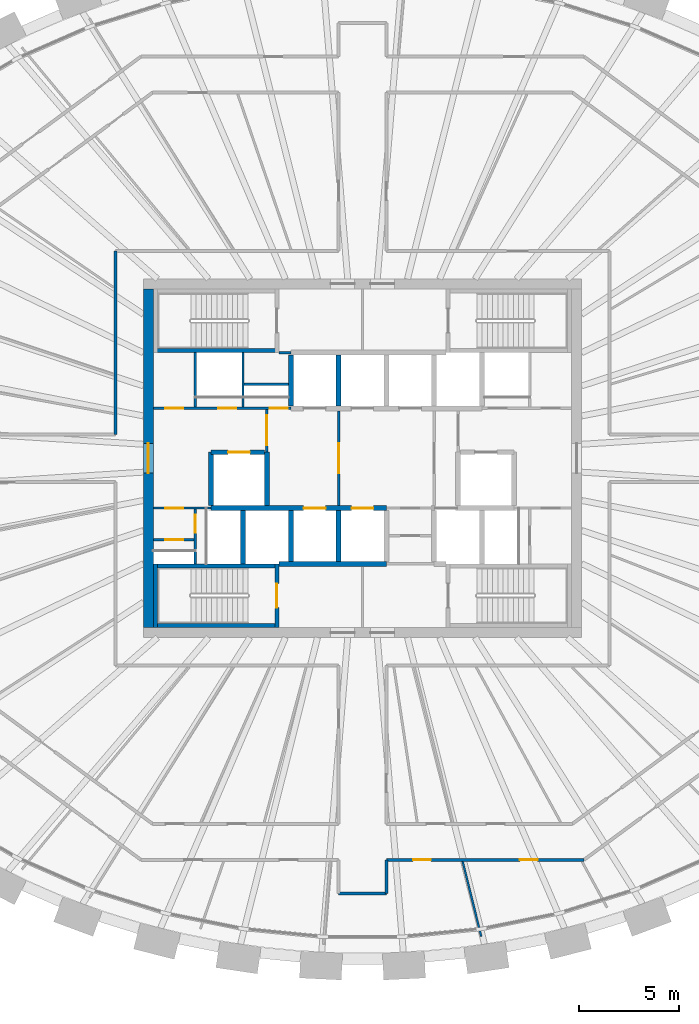
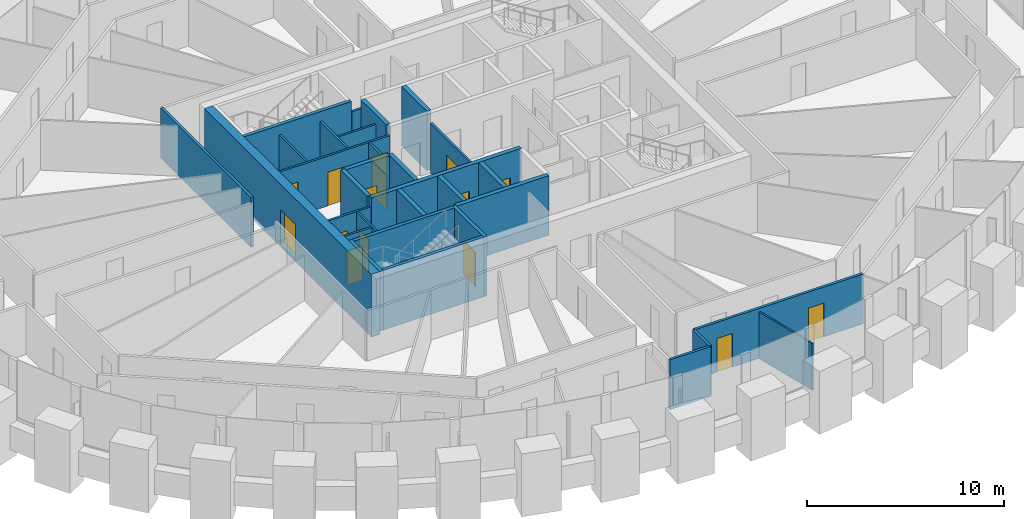
# One storey, part 7 of 12: 31 walls, 15 doors, 15 openings.
"""IFC4 building model written with IfcOpenShell, lengths in metres."""

from ifc_helpers import new_model, si_unit, direction, frame, frame_2d, origin, place, context, subcontext, project, spatial, rectangle, extrude, source, transform, mapped, material, layer, layer_set, type_object, element, fill, save


model = new_model("IFC4")

# Units and contexts
model_context = context("Model", 3, precision=1e-05, world=origin(), true_north=direction((0.0, 1.0)))
body_context = subcontext(model_context, "Body", "Model", "MODEL_VIEW")
ifc_project = project(units=[si_unit("LENGTHUNIT", "METRE"), si_unit("AREAUNIT", "SQUARE_METRE"), si_unit("VOLUMEUNIT", "CUBIC_METRE"), si_unit("PLANEANGLEUNIT", "RADIAN"), si_unit("MASSUNIT", "GRAM", prefix="KILO")], contexts=[model_context])

# Site, building, storey
site_placement = place(None, origin())
site = spatial("IfcSite", under=ifc_project, at=site_placement, CompositionType="ELEMENT")
building_placement = place(site_placement, origin())
building = spatial("IfcBuilding", under=site, at=building_placement, Name="Embergate Tower", CompositionType="ELEMENT")
storey_placement = place(building_placement, frame((0.0, 0.0, 265.60009765625)))
storey = spatial("IfcBuildingStorey", under=building, at=storey_placement, Name="L61", CompositionType="ELEMENT", Elevation=265.60009765625)

# Wall, opening, door
ifc_material_1 = material(Name="Concrete C50", Category="concrete")
ifc_layer_1 = layer(ifc_material_1, 0.5)
ifc_layer_set_1 = layer_set([ifc_layer_1], Name="Concrete C50")
wall_type_1 = type_object("IfcWallType", Name="Core outer wall C50 500", PredefinedType="SHEAR", material=ifc_layer_set_1)
shared_shape_1 = source(origin(), body_context, "Body", "SweptSolid", [
    extrude(rectangle(XDim=17.0, YDim=0.5, at=frame_2d((8.5, 0.0))), origin(), (0.0, 0.0, 1.0), 3.900146484375),
])
wall_1_placement = place(storey_placement, frame((-10.75, -8.5, -0.2001953125), z_axis=(0.0, 0.0, 1.0), x_axis=(0.0, 1.0, 0.0)))
wall_1 = element("IfcWall", 1, at=wall_1_placement, inside=storey, type_object=wall_type_1, Name="CW-L61-W", PredefinedType="SHEAR", context=body_context, shape_type="MappedRepresentation", body=[
    mapped(shared_shape_1, transform((0.0, 0.0, 0.0))),
])
shared_shape_2 = source(origin(), body_context, "Body", "SweptSolid", [
    extrude(rectangle(XDim=1.5, YDim=2.10009765625, at=frame_2d((0.75, 1.050048828125))), frame((0.0, 0.260009765625, 0.0), z_axis=(0.0, -1.0, 0.0), x_axis=(1.0, 0.0, 0.0)), (0.0, 0.0, 1.0), 0.52001953125),
])
opening_1_placement = place(wall_1_placement, frame((7.75, 0.0, 0.199951171875)))
opening_1 = element("IfcOpeningElement", 2, at=opening_1_placement, cuts=wall_1, Name="Opening IF-3", PredefinedType="OPENING", context=body_context, shape_type="MappedRepresentation", body=[
    mapped(shared_shape_2, transform((0.0, 0.0, 0.0))),
])
ifc_material_2 = material(Name="Lobby fire door pair 1500")
door_type_1 = type_object("IfcDoorType", Name="Lobby fire door pair 1500", OperationType="DOUBLE_DOOR_SINGLE_SWING", PredefinedType="DOOR", material=ifc_material_2)
shared_shape_3 = source(origin(), body_context, "Body", "SweptSolid", [
    extrude(rectangle(XDim=1.5, YDim=2.10009765625, at=frame_2d((0.75, 1.050048828125))), frame((0.0, 0.02490234375, 0.0), z_axis=(0.0, -1.0, 0.0), x_axis=(1.0, 0.0, 0.0)), (0.0, 0.0, 1.0), 0.050048828125),
])
door_1_placement = place(opening_1_placement, origin())
door_1 = element("IfcDoor", 3, at=door_1_placement, inside=storey, type_object=door_type_1, Name="IF-3 door", OperationType="DOUBLE_DOOR_SINGLE_SWING", OverallHeight=2.10009765625, OverallWidth=1.5, PredefinedType="DOOR", context=body_context, shape_type="MappedRepresentation", body=[
    mapped(shared_shape_3, transform((0.0, 0.0, 0.0))),
])
fill(opening_1, door_1)

# Walls
ifc_layer_2 = layer(ifc_material_1, 0.25)
ifc_layer_set_2 = layer_set([ifc_layer_2], Name="Concrete C50")
wall_type_2 = type_object("IfcWallType", Name="Hoistway wall reinforced concrete 250", PredefinedType="SHEAR", material=ifc_layer_set_2)
shared_shape_4 = source(origin(), body_context, "Body", "SweptSolid", [
    extrude(rectangle(XDim=2.675048828125, YDim=0.25, at=frame_2d((1.33740234375, 0.0))), origin(), (0.0, 0.0, 1.0), 3.699951171875),
])
for number, where, z_axis, x_axis, name in (
    (4, (-6.0, -5.300048828125, 0.0), (0.0, 0.0, 1.0), (0.0, 1.0, 0.0), "HW-1 wall"),
    (5, (-4.800048828125, 0.300048828125, 0.0), (0.0, 0.0, 1.0), (0.0, -1.0, 0.0), "HW-1 wall"),
):
    element("IfcWall", number, at=place(storey_placement, frame(where, z_axis=z_axis, x_axis=x_axis)), inside=storey, type_object=wall_type_2, Name=name, PredefinedType="SHEAR", context=body_context, shape_type="MappedRepresentation", body=[
        mapped(shared_shape_4, transform((0.0, 0.0, 0.0))),
    ])

# Wall, opening, door
wall_2_placement = place(storey_placement, frame((-4.925048828125, 0.300048828125, 0.0), z_axis=(0.0, 0.0, 1.0), x_axis=(-1.0, 0.0, 0.0)))
wall_2 = element("IfcWall", 6, at=wall_2_placement, inside=storey, type_object=wall_type_2, Name="HW-1 wall", PredefinedType="SHEAR", context=body_context, shape_type="MappedRepresentation", body=[
    mapped(shared_shape_4, transform((0.0, 0.0, 0.0))),
])
shared_shape_5 = source(origin(), body_context, "Body", "SweptSolid", [
    extrude(rectangle(XDim=1.10009765625, YDim=2.10009765625, at=frame_2d((0.550048828125, 1.050048828125))), frame((0.0, 0.135009765625, 0.0), z_axis=(0.0, -1.0, 0.0), x_axis=(1.0, 0.0, 0.0)), (0.0, 0.0, 1.0), 0.27001953125),
])
opening_2_placement = place(wall_2_placement, frame((0.72509765625, 0.0, 0.0)))
opening_2 = element("IfcOpeningElement", 7, at=opening_2_placement, cuts=wall_2, Name="Opening LD", PredefinedType="OPENING", context=body_context, shape_type="MappedRepresentation", body=[
    mapped(shared_shape_5, transform((0.0, 0.0, 0.0))),
])
ifc_material_3 = material(Name="Landing door sliding 1100")
door_type_2 = type_object("IfcDoorType", Name="Landing door sliding 1100", OperationType="SLIDING_TO_LEFT", PredefinedType="DOOR", material=ifc_material_3)
shared_shape_6 = source(origin(), body_context, "Body", "SweptSolid", [
    extrude(rectangle(XDim=1.10009765625, YDim=2.10009765625, at=frame_2d((0.550048828125, 1.050048828125))), frame((0.0, 0.02490234375, 0.0), z_axis=(0.0, -1.0, 0.0), x_axis=(1.0, 0.0, 0.0)), (0.0, 0.0, 1.0), 0.050048828125),
])
door_2_placement = place(opening_2_placement, origin())
door_2 = element("IfcDoor", 8, at=door_2_placement, inside=storey, type_object=door_type_2, Name="LD door", OperationType="SLIDING_TO_RIGHT", OverallHeight=2.10009765625, OverallWidth=1.10009765625, PredefinedType="DOOR", context=body_context, shape_type="MappedRepresentation", body=[
    mapped(shared_shape_6, transform((0.0, 0.0, 0.0))),
])
fill(opening_2, door_2)

# Walls
wall_3_placement = place(storey_placement, frame((-7.60009765625, 0.300048828125, 0.0), z_axis=(0.0, 0.0, 1.0), x_axis=(0.0, -1.0, 0.0)))
element("IfcWall", 9, at=wall_3_placement, inside=storey, type_object=wall_type_2, Name="HW-1 wall", PredefinedType="SHEAR", context=body_context, shape_type="MappedRepresentation", body=[
    mapped(shared_shape_4, transform((0.0, 0.0, 0.0))),
])
ifc_layer_3 = layer(ifc_material_1, 0.199951171875)
ifc_layer_set_3 = layer_set([ifc_layer_3], Name="Concrete C50")
wall_type_3 = type_object("IfcWallType", Name="Stair enclosure wall reinforced concrete 250", PredefinedType="SHEAR", material=ifc_layer_set_3)
shared_shape_7 = source(origin(), body_context, "Body", "SweptSolid", [
    extrude(rectangle(XDim=6.300048828125, YDim=0.199951171875, at=frame_2d((3.14990234375, 0.0))), origin(), (0.0, 0.0, 1.0), 3.699951171875),
])
wall_4_placement = place(storey_placement, frame((-10.5, -5.39990234375, 0.0), z_axis=(0.0, 0.0, 1.0), x_axis=(1.0, 0.0, 0.0)))
element("IfcWall", 10, at=wall_4_placement, inside=storey, type_object=wall_type_3, Name="SE-1 wall", PredefinedType="SHEAR", context=body_context, shape_type="MappedRepresentation", body=[
    mapped(shared_shape_7, transform((0.0, 0.0, 0.0))),
])
shared_shape_8 = source(origin(), body_context, "Body", "SweptSolid", [
    extrude(rectangle(XDim=2.550048828125, YDim=0.25, at=frame_2d((1.27490234375, 0.0))), origin(), (0.0, 0.0, 1.0), 3.699951171875),
])
for number, where, z_axis, x_axis, name in (
    (11, (-1.199951171875, 2.625, 0.0), (0.0, 0.0, 1.0), (0.0, 1.0, 0.0), "HW-1 wall"),
    (12, (-3.60009765625, -5.175048828125, 0.0), (0.0, 0.0, 1.0), (0.0, 1.0, 0.0), "HW-1 wall"),
    (13, (-1.199951171875, -5.175048828125, 0.0), (0.0, 0.0, 1.0), (0.0, 1.0, 0.0), "HW-1 wall"),
):
    element("IfcWall", number, at=place(storey_placement, frame(where, z_axis=z_axis, x_axis=x_axis)), inside=storey, type_object=wall_type_2, Name=name, PredefinedType="SHEAR", context=body_context, shape_type="MappedRepresentation", body=[
        mapped(shared_shape_8, transform((0.0, 0.0, 0.0))),
    ])

# Wall, opening, door
shared_shape_9 = source(origin(), body_context, "Body", "SweptSolid", [
    extrude(rectangle(XDim=3.199951171875, YDim=0.199951171875, at=frame_2d((1.60009765625, 0.0))), origin(), (0.0, 0.0, 1.0), 3.699951171875),
])
wall_5_placement = place(storey_placement, frame((-4.300048828125, -8.5, 0.0), z_axis=(0.0, 0.0, 1.0), x_axis=(0.0, 1.0, 0.0)))
wall_5 = element("IfcWall", 14, at=wall_5_placement, inside=storey, type_object=wall_type_3, Name="SE-1 wall", PredefinedType="SHEAR", context=body_context, shape_type="MappedRepresentation", body=[
    mapped(shared_shape_9, transform((0.0, 0.0, 0.0))),
])
shared_shape_10 = source(origin(), body_context, "Body", "SweptSolid", [
    extrude(rectangle(XDim=1.199951171875, YDim=2.10009765625, at=frame_2d((0.60009765625, 1.050048828125))), frame((0.0, 0.10986328125, 0.0), z_axis=(0.0, -1.0, 0.0), x_axis=(1.0, 0.0, 0.0)), (0.0, 0.0, 1.0), 0.219970703125),
])
opening_3_placement = place(wall_5_placement, frame((1.0, 0.0, 0.0)))
opening_3 = element("IfcOpeningElement", 15, at=opening_3_placement, cuts=wall_5, Name="Opening IF-2", PredefinedType="OPENING", context=body_context, shape_type="MappedRepresentation", body=[
    mapped(shared_shape_10, transform((0.0, 0.0, 0.0))),
])
ifc_material_4 = material(Name="Stair enclosure door 1200")
door_type_3 = type_object("IfcDoorType", Name="Stair enclosure door 1200", OperationType="SINGLE_SWING_LEFT", PredefinedType="DOOR", material=ifc_material_4)
shared_shape_11 = source(origin(), body_context, "Body", "SweptSolid", [
    extrude(rectangle(XDim=1.199951171875, YDim=2.10009765625, at=frame_2d((0.60009765625, 1.050048828125))), frame((0.0, 0.02490234375, 0.0), z_axis=(0.0, -1.0, 0.0), x_axis=(1.0, 0.0, 0.0)), (0.0, 0.0, 1.0), 0.050048828125),
])
door_3_placement = place(opening_3_placement, origin())
door_3 = element("IfcDoor", 16, at=door_3_placement, inside=storey, type_object=door_type_3, Name="IF-2 door", OperationType="SINGLE_SWING_RIGHT", OverallHeight=2.10009765625, OverallWidth=1.199951171875, PredefinedType="DOOR", context=body_context, shape_type="MappedRepresentation", body=[
    mapped(shared_shape_11, transform((0.0, 0.0, 0.0))),
])
fill(opening_3, door_3)

# Wall
ifc_material_5 = material(Name="Core partition blockwork 120")
ifc_layer_4 = layer(ifc_material_5, 0.1201171875)
ifc_layer_set_4 = layer_set([ifc_layer_4], Name="Core partition blockwork 120")
wall_type_4 = type_object("IfcWallType", Name="Core partition blockwork 120", PredefinedType="PARTITIONING", material=ifc_layer_set_4)
shared_shape_12 = source(origin(), body_context, "Body", "SweptSolid", [
    extrude(rectangle(XDim=2.739990234375, YDim=0.1201171875, at=frame_2d((1.3701171875, 0.0))), origin(), (0.0, 0.0, 1.0), 3.099853515625),
])
wall_6_placement = place(storey_placement, frame((-8.39990234375, 5.300048828125, 0.0), z_axis=(0.0, 0.0, 1.0), x_axis=(0.0, -1.0, 0.0)))
element("IfcWall", 17, at=wall_6_placement, inside=storey, type_object=wall_type_4, Name="IP-3 wall", PredefinedType="PARTITIONING", context=body_context, shape_type="MappedRepresentation", body=[
    mapped(shared_shape_12, transform((0.0, 0.0, 0.0))),
])

# Wall, opening, door
wall_7_placement = place(storey_placement, frame((-8.39990234375, -2.56005859375, 0.0), z_axis=(0.0, 0.0, 1.0), x_axis=(0.0, -1.0, 0.0)))
wall_7 = element("IfcWall", 18, at=wall_7_placement, inside=storey, type_object=wall_type_4, Name="IP-3 wall", PredefinedType="PARTITIONING", context=body_context, shape_type="MappedRepresentation", body=[
    mapped(shared_shape_12, transform((0.0, 0.0, 0.0))),
])
shared_shape_13 = source(origin(), body_context, "Body", "SweptSolid", [
    extrude(rectangle(XDim=0.89990234375, YDim=2.10009765625, at=frame_2d((0.449951171875, 1.050048828125))), frame((0.0, 0.070068359375, 0.0), z_axis=(0.0, -1.0, 0.0), x_axis=(1.0, 0.0, 0.0)), (0.0, 0.0, 1.0), 0.14013671875),
])
opening_4_placement = place(wall_7_placement, frame((0.2880859375, 0.0, 0.0)))
opening_4 = element("IfcOpeningElement", 19, at=opening_4_placement, cuts=wall_7, Name="Opening ID-1", PredefinedType="OPENING", context=body_context, shape_type="MappedRepresentation", body=[
    mapped(shared_shape_13, transform((0.0, 0.0, 0.0))),
])
ifc_material_6 = material(Name="Interior door 900")
door_type_4 = type_object("IfcDoorType", Name="Interior door 900", OperationType="SINGLE_SWING_LEFT", PredefinedType="DOOR", material=ifc_material_6)
shared_shape_14 = source(origin(), body_context, "Body", "SweptSolid", [
    extrude(rectangle(XDim=0.89990234375, YDim=2.10009765625, at=frame_2d((0.449951171875, 1.050048828125))), frame((0.0, 0.02490234375, 0.0), z_axis=(0.0, -1.0, 0.0), x_axis=(1.0, 0.0, 0.0)), (0.0, 0.0, 1.0), 0.050048828125),
])
door_4_placement = place(opening_4_placement, origin())
door_4 = element("IfcDoor", 20, at=door_4_placement, inside=storey, type_object=door_type_4, Name="ID-1 door", OperationType="SINGLE_SWING_LEFT", OverallHeight=2.10009765625, OverallWidth=0.89990234375, PredefinedType="DOOR", context=body_context, shape_type="MappedRepresentation", body=[
    mapped(shared_shape_14, transform((0.0, 0.0, 0.0))),
])
fill(opening_4, door_4)

shared_shape_15 = source(origin(), body_context, "Body", "SweptSolid", [
    extrude(rectangle(XDim=4.75, YDim=0.1201171875, at=frame_2d((2.375, 0.0))), origin(), (0.0, 0.0, 1.0), 3.099853515625),
])
wall_8_placement = place(storey_placement, frame((-1.199951171875, -2.375, 0.0), z_axis=(0.0, 0.0, 1.0), x_axis=(0.0, 1.0, 0.0)))
wall_8 = element("IfcWall", 21, at=wall_8_placement, inside=storey, type_object=wall_type_4, Name="IP-3 wall", PredefinedType="PARTITIONING", context=body_context, shape_type="MappedRepresentation", body=[
    mapped(shared_shape_15, transform((0.0, 0.0, 0.0))),
])
shared_shape_16 = source(origin(), body_context, "Body", "SweptSolid", [
    extrude(rectangle(XDim=1.5, YDim=2.10009765625, at=frame_2d((0.75, 1.050048828125))), frame((0.0, 0.070068359375, 0.0), z_axis=(0.0, -1.0, 0.0), x_axis=(1.0, 0.0, 0.0)), (0.0, 0.0, 1.0), 0.14013671875),
])
opening_5_placement = place(wall_8_placement, frame((1.625, 0.0, 0.0)))
opening_5 = element("IfcOpeningElement", 22, at=opening_5_placement, cuts=wall_8, Name="Opening IF-3", PredefinedType="OPENING", context=body_context, shape_type="MappedRepresentation", body=[
    mapped(shared_shape_16, transform((0.0, 0.0, 0.0))),
])
door_5_placement = place(opening_5_placement, origin())
door_5 = element("IfcDoor", 23, at=door_5_placement, inside=storey, type_object=door_type_1, Name="IF-3 door", OperationType="DOUBLE_DOOR_SINGLE_SWING", OverallHeight=2.10009765625, OverallWidth=1.5, PredefinedType="DOOR", context=body_context, shape_type="MappedRepresentation", body=[
    mapped(shared_shape_3, transform((0.0, 0.0, 0.0))),
])
fill(opening_5, door_5)

# Walls
ifc_material_7 = material(Name="Corridor wall dry-lined 150 wet")
ifc_layer_5 = layer(ifc_material_7, 0.14990234375)
ifc_layer_set_5 = layer_set([ifc_layer_5], Name="Corridor wall dry-lined 150 wet")
wall_type_5 = type_object("IfcWallType", Name="Corridor wall dry-lined 150 wet", PredefinedType="PLUMBINGWALL", material=ifc_layer_set_5)
shared_shape_17 = source(origin(), body_context, "Body", "SweptSolid", [
    extrude(rectangle(XDim=2.39990234375, YDim=0.14990234375, at=frame_2d((1.199951171875, 0.0))), origin(), (0.0, 0.0, 1.0), 3.099853515625),
])
wall_9_placement = place(storey_placement, frame((1.199951171875, -21.845947265625, 0.0), z_axis=(0.0, 0.0, 1.0), x_axis=(-1.0, 0.0, 0.0)))
element("IfcWall", 24, at=wall_9_placement, inside=storey, type_object=wall_type_5, Name="IP-2 wall", PredefinedType="PLUMBINGWALL", context=body_context, shape_type="MappedRepresentation", body=[
    mapped(shared_shape_17, transform((0.0, 0.0, 0.0))),
])
ifc_material_8 = material(Name="Corridor wall dry-lined 150")
ifc_layer_6 = layer(ifc_material_8, 0.14990234375)
ifc_layer_set_6 = layer_set([ifc_layer_6], Name="Corridor wall dry-lined 150")
wall_type_6 = type_object("IfcWallType", Name="Corridor wall dry-lined 150", PredefinedType="PARTITIONING", material=ifc_layer_set_6)
shared_shape_18 = source(origin(), body_context, "Body", "SweptSolid", [
    extrude(rectangle(XDim=9.199951171875, YDim=0.14990234375, at=frame_2d((4.60009765625, 0.0))), origin(), (0.0, 0.0, 1.0), 3.099853515625),
])
wall_10_placement = place(storey_placement, frame((-12.39990234375, 10.39990234375, 0.0), z_axis=(0.0, 0.0, 1.0), x_axis=(0.0, -1.0, 0.0)))
element("IfcWall", 25, at=wall_10_placement, inside=storey, type_object=wall_type_6, Name="IP-2 wall", PredefinedType="PARTITIONING", context=body_context, shape_type="MappedRepresentation", body=[
    mapped(shared_shape_18, transform((0.0, 0.0, 0.0))),
])
shared_shape_19 = source(origin(), body_context, "Body", "SweptSolid", [
    extrude(rectangle(XDim=2.738037109375, YDim=0.1201171875, at=frame_2d((1.369140625, 0.0))), origin(), (0.0, 0.0, 1.0), 3.099853515625),
])
wall_11_placement = place(storey_placement, frame((-6.0, 2.56005859375, 0.0), z_axis=(0.0, 0.0, 1.0), x_axis=(0.0, 1.0, 0.0)))
element("IfcWall", 26, at=wall_11_placement, inside=storey, type_object=wall_type_4, Name="IP-3 wall", PredefinedType="PARTITIONING", context=body_context, shape_type="MappedRepresentation", body=[
    mapped(shared_shape_19, transform((0.0, 0.0, 0.0))),
])

# Wall, openings, doors
shared_shape_20 = source(origin(), body_context, "Body", "SweptSolid", [
    extrude(rectangle(XDim=8.800048828125, YDim=0.25, at=frame_2d((4.39990234375, 0.0))), origin(), (0.0, 0.0, 1.0), 3.699951171875),
])
wall_12_placement = place(storey_placement, frame((1.199951171875, -2.5, 0.0), z_axis=(0.0, 0.0, 1.0), x_axis=(-1.0, 0.0, 0.0)))
wall_12 = element("IfcWall", 27, at=wall_12_placement, inside=storey, type_object=wall_type_2, Name="HW-1 wall", PredefinedType="SHEAR", context=body_context, shape_type="MappedRepresentation", body=[
    mapped(shared_shape_20, transform((0.0, 0.0, 0.0))),
])
opening_6_placement = place(wall_12_placement, frame((3.050048828125, 0.0, 0.0)))
opening_6 = element("IfcOpeningElement", 28, at=opening_6_placement, cuts=wall_12, Name="Opening LD", PredefinedType="OPENING", context=body_context, shape_type="MappedRepresentation", body=[
    mapped(shared_shape_5, transform((0.0, 0.0, 0.0))),
])
opening_7_placement = place(wall_12_placement, frame((0.64990234375, 0.0, 0.0)))
opening_7 = element("IfcOpeningElement", 29, at=opening_7_placement, cuts=wall_12, Name="Opening LD", PredefinedType="OPENING", context=body_context, shape_type="MappedRepresentation", body=[
    mapped(shared_shape_5, transform((0.0, 0.0, 0.0))),
])
door_6_placement = place(opening_6_placement, origin())
door_6 = element("IfcDoor", 30, at=door_6_placement, inside=storey, type_object=door_type_2, Name="LD door", OperationType="SLIDING_TO_LEFT", OverallHeight=2.10009765625, OverallWidth=1.10009765625, PredefinedType="DOOR", context=body_context, shape_type="MappedRepresentation", body=[
    mapped(shared_shape_6, transform((0.0, 0.0, 0.0))),
])
fill(opening_6, door_6)
door_7_placement = place(opening_7_placement, origin())
door_7 = element("IfcDoor", 31, at=door_7_placement, inside=storey, type_object=door_type_2, Name="LD door", OperationType="SLIDING_TO_LEFT", OverallHeight=2.10009765625, OverallWidth=1.10009765625, PredefinedType="DOOR", context=body_context, shape_type="MappedRepresentation", body=[
    mapped(shared_shape_6, transform((0.0, 0.0, 0.0))),
])
fill(opening_7, door_7)

# Wall, opening, door
shared_shape_21 = source(origin(), body_context, "Body", "SweptSolid", [
    extrude(rectangle(XDim=2.89990234375, YDim=0.1201171875, at=frame_2d((1.449951171875, 0.0))), origin(), (0.0, 0.0, 1.0), 3.099853515625),
])
wall_13_placement = place(storey_placement, frame((-7.60009765625, -2.5, 0.0), z_axis=(0.0, 0.0, 1.0), x_axis=(-1.0, 0.0, 0.0)))
wall_13 = element("IfcWall", 32, at=wall_13_placement, inside=storey, type_object=wall_type_4, Name="IP-3 wall", PredefinedType="PARTITIONING", context=body_context, shape_type="MappedRepresentation", body=[
    mapped(shared_shape_21, transform((0.0, 0.0, 0.0))),
])
opening_8_placement = place(wall_13_placement, frame((1.39990234375, 0.0, 0.0)))
opening_8 = element("IfcOpeningElement", 33, at=opening_8_placement, cuts=wall_13, Name="Opening ID-1", PredefinedType="OPENING", context=body_context, shape_type="MappedRepresentation", body=[
    mapped(shared_shape_13, transform((0.0, 0.0, 0.0))),
])
door_8_placement = place(opening_8_placement, origin())
door_8 = element("IfcDoor", 34, at=door_8_placement, inside=storey, type_object=door_type_4, Name="ID-1 door", OperationType="SINGLE_SWING_RIGHT", OverallHeight=2.10009765625, OverallWidth=0.89990234375, PredefinedType="DOOR", context=body_context, shape_type="MappedRepresentation", body=[
    mapped(shared_shape_14, transform((0.0, 0.0, 0.0))),
])
fill(opening_8, door_8)

# Wall
shared_shape_22 = source(origin(), body_context, "Body", "SweptSolid", [
    extrude(rectangle(XDim=5.39990234375, YDim=0.25, at=frame_2d((2.699951171875, 0.0))), origin(), (0.0, 0.0, 1.0), 3.699951171875),
])
wall_14_placement = place(storey_placement, frame((-4.199951171875, -5.300048828125, 0.0), z_axis=(0.0, 0.0, 1.0), x_axis=(1.0, 0.0, 0.0)))
element("IfcWall", 35, at=wall_14_placement, inside=storey, type_object=wall_type_2, Name="HW-1 wall", PredefinedType="SHEAR", context=body_context, shape_type="MappedRepresentation", body=[
    mapped(shared_shape_22, transform((0.0, 0.0, 0.0))),
])

# Wall, opening, door
shared_shape_23 = source(origin(), body_context, "Body", "SweptSolid", [
    extrude(rectangle(XDim=2.139892578125, YDim=0.1201171875, at=frame_2d((1.06982421875, 0.0))), origin(), (0.0, 0.0, 1.0), 3.099853515625),
])
wall_15_placement = place(storey_placement, frame((-4.800048828125, 2.43994140625, 0.0), z_axis=(0.0, 0.0, 1.0), x_axis=(0.0, -1.0, 0.0)))
wall_15 = element("IfcWall", 36, at=wall_15_placement, inside=storey, type_object=wall_type_4, Name="IP-3 wall", PredefinedType="PARTITIONING", context=body_context, shape_type="MappedRepresentation", body=[
    mapped(shared_shape_23, transform((0.0, 0.0, 0.0))),
])
opening_9_placement = place(wall_15_placement, frame((0.2900390625, 0.0, 0.0)))
opening_9 = element("IfcOpeningElement", 37, at=opening_9_placement, cuts=wall_15, Name="Opening IF-3", PredefinedType="OPENING", context=body_context, shape_type="MappedRepresentation", body=[
    mapped(shared_shape_16, transform((0.0, 0.0, 0.0))),
])
door_9_placement = place(opening_9_placement, origin())
door_9 = element("IfcDoor", 38, at=door_9_placement, inside=storey, type_object=door_type_1, Name="IF-3 door", OperationType="DOUBLE_DOOR_SINGLE_SWING", OverallHeight=2.10009765625, OverallWidth=1.5, PredefinedType="DOOR", context=body_context, shape_type="MappedRepresentation", body=[
    mapped(shared_shape_3, transform((0.0, 0.0, 0.0))),
])
fill(opening_9, door_9)

# Walls
shared_shape_24 = source(origin(), body_context, "Body", "SweptSolid", [
    extrude(rectangle(XDim=6.298095703125, YDim=0.199951171875, at=frame_2d((3.14892578125, 0.0))), origin(), (0.0, 0.0, 1.0), 3.699951171875),
])
for number, where, z_axis, x_axis, name in (
    (39, (-4.201904296875, 5.39990234375, 0.0), (0.0, 0.0, 1.0), (-1.0, 0.0, 0.0), "SE-1 wall"),
    (40, (-10.5, -8.39990234375, 0.0), (0.0, 0.0, 1.0), (1.0, 0.0, 0.0), "SE-1 wall"),
):
    element("IfcWall", number, at=place(storey_placement, frame(where, z_axis=z_axis, x_axis=x_axis)), inside=storey, type_object=wall_type_3, Name=name, PredefinedType="SHEAR", context=body_context, shape_type="MappedRepresentation", body=[
        mapped(shared_shape_24, transform((0.0, 0.0, 0.0))),
    ])
shared_shape_25 = source(origin(), body_context, "Body", "SweptSolid", [
    extrude(rectangle(XDim=3.197998046875, YDim=0.199951171875, at=frame_2d((1.59912109375, 0.0))), origin(), (0.0, 0.0, 1.0), 3.699951171875),
])
wall_16_placement = place(storey_placement, frame((-10.39990234375, -5.302001953125, 0.0), z_axis=(0.0, 0.0, 1.0), x_axis=(0.0, -1.0, 0.0)))
element("IfcWall", 41, at=wall_16_placement, inside=storey, type_object=wall_type_3, Name="SE-1 wall", PredefinedType="SHEAR", context=body_context, shape_type="MappedRepresentation", body=[
    mapped(shared_shape_25, transform((0.0, 0.0, 0.0))),
])

# Wall, openings, doors
shared_shape_26 = source(origin(), body_context, "Body", "SweptSolid", [
    extrude(rectangle(XDim=9.926025390625, YDim=0.14990234375, at=frame_2d((4.962890625, 0.0))), origin(), (0.0, 0.0, 1.0), 3.099853515625),
])
wall_17_placement = place(storey_placement, frame((11.1259765625, -20.158935546875, 0.0), z_axis=(0.0, 0.0, 1.0), x_axis=(-1.0, 0.0, 0.0)))
wall_17 = element("IfcWall", 42, at=wall_17_placement, inside=storey, type_object=wall_type_5, Name="IP-2 wall", PredefinedType="PLUMBINGWALL", context=body_context, shape_type="MappedRepresentation", body=[
    mapped(shared_shape_26, transform((0.0, 0.0, 0.0))),
])
shared_shape_27 = source(origin(), body_context, "Body", "SweptSolid", [
    extrude(rectangle(XDim=0.89990234375, YDim=2.10009765625, at=frame_2d((0.449951171875, 1.050048828125))), frame((0.0, 0.0849609375, 0.0), z_axis=(0.0, -1.0, 0.0), x_axis=(1.0, 0.0, 0.0)), (0.0, 0.0, 1.0), 0.169921875),
])
opening_10_placement = place(wall_17_placement, frame((7.688720703125, 0.0, 0.0)))
opening_10 = element("IfcOpeningElement", 43, at=opening_10_placement, cuts=wall_17, Name="Opening IF-1c", PredefinedType="OPENING", context=body_context, shape_type="MappedRepresentation", body=[
    mapped(shared_shape_27, transform((0.0, 0.0, 0.0))),
])
opening_11_placement = place(wall_17_placement, frame((2.32861328125, 0.0, 0.0)))
opening_11 = element("IfcOpeningElement", 44, at=opening_11_placement, cuts=wall_17, Name="Opening IF-1c", PredefinedType="OPENING", context=body_context, shape_type="MappedRepresentation", body=[
    mapped(shared_shape_27, transform((0.0, 0.0, 0.0))),
])
ifc_material_9 = material(Name="Escape fire door 900")
door_type_5 = type_object("IfcDoorType", Name="Escape fire door 900", OperationType="SINGLE_SWING_LEFT", PredefinedType="DOOR", material=ifc_material_9)
door_10_placement = place(opening_10_placement, origin())
door_10 = element("IfcDoor", 45, at=door_10_placement, inside=storey, type_object=door_type_5, Name="IF-1 door", OperationType="SINGLE_SWING_LEFT", OverallHeight=2.10009765625, OverallWidth=0.89990234375, PredefinedType="DOOR", context=body_context, shape_type="MappedRepresentation", body=[
    mapped(shared_shape_14, transform((0.0, 0.0, 0.0))),
])
fill(opening_10, door_10)
door_11_placement = place(opening_11_placement, origin())
door_11 = element("IfcDoor", 46, at=door_11_placement, inside=storey, type_object=door_type_5, Name="IF-1 door", OperationType="SINGLE_SWING_RIGHT", OverallHeight=2.10009765625, OverallWidth=0.89990234375, PredefinedType="DOOR", context=body_context, shape_type="MappedRepresentation", body=[
    mapped(shared_shape_14, transform((0.0, 0.0, 0.0))),
])
fill(opening_11, door_11)

# Walls
shared_shape_28 = source(origin(), body_context, "Body", "SweptSolid", [
    extrude(rectangle(XDim=1.68701171875, YDim=0.14990234375, at=frame_2d((0.843505859375, 0.0))), origin(), (0.0, 0.0, 1.0), 3.099853515625),
])
wall_18_placement = place(storey_placement, frame((1.199951171875, -20.158935546875, 0.0), z_axis=(0.0, 0.0, 1.0), x_axis=(0.0, -1.0, 0.0)))
element("IfcWall", 47, at=wall_18_placement, inside=storey, type_object=wall_type_5, Name="IP-2 wall", PredefinedType="PLUMBINGWALL", context=body_context, shape_type="MappedRepresentation", body=[
    mapped(shared_shape_28, transform((0.0, 0.0, 0.0))),
])
ifc_material_10 = material(Name="Partition dry-lined 100 wet")
ifc_layer_7 = layer(ifc_material_10, 0.10009765625)
ifc_layer_set_7 = layer_set([ifc_layer_7], Name="Partition dry-lined 100 wet")
wall_type_7 = type_object("IfcWallType", Name="Partition dry-lined 100 wet", PredefinedType="PLUMBINGWALL", material=ifc_layer_set_7)
shared_shape_29 = source(origin(), body_context, "Body", "SweptSolid", [
    extrude(rectangle(XDim=3.882080078125, YDim=0.10009765625, at=frame_2d((1.94091796875, 0.0))), origin(), (0.0, 0.0, 1.0), 2.89990234375),
])
wall_19_placement = place(storey_placement, frame((5.027099609375, -20.24609375, 0.0), z_axis=(0.0, 0.0, 1.0), x_axis=(0.240803927653, -0.970573783093, 0.0)))
element("IfcWall", 48, at=wall_19_placement, inside=storey, type_object=wall_type_7, Name="IP-1 wall", PredefinedType="PLUMBINGWALL", context=body_context, shape_type="MappedRepresentation", body=[
    mapped(shared_shape_29, transform((0.0, 0.0, 0.0))),
])

# Wall, openings, doors
shared_shape_30 = source(origin(), body_context, "Body", "SweptSolid", [
    extrude(rectangle(XDim=6.89990234375, YDim=0.1201171875, at=frame_2d((3.449951171875, 0.0))), origin(), (0.0, 0.0, 1.0), 3.099853515625),
])
wall_20_placement = place(storey_placement, frame((-10.5, 2.5, 0.0), z_axis=(0.0, 0.0, 1.0), x_axis=(1.0, 0.0, 0.0)))
wall_20 = element("IfcWall", 49, at=wall_20_placement, inside=storey, type_object=wall_type_4, Name="IP-3 wall", PredefinedType="PARTITIONING", context=body_context, shape_type="MappedRepresentation", body=[
    mapped(shared_shape_30, transform((0.0, 0.0, 0.0))),
])
opening_12_placement = place(wall_20_placement, frame((3.25, 0.0, 0.0)))
opening_12 = element("IfcOpeningElement", 50, at=opening_12_placement, cuts=wall_20, Name="Opening ID-1", PredefinedType="OPENING", context=body_context, shape_type="MappedRepresentation", body=[
    mapped(shared_shape_13, transform((0.0, 0.0, 0.0))),
])
opening_13_placement = place(wall_20_placement, frame((5.85009765625, 0.0, 0.0)))
opening_13 = element("IfcOpeningElement", 51, at=opening_13_placement, cuts=wall_20, Name="Opening ID-1", PredefinedType="OPENING", context=body_context, shape_type="MappedRepresentation", body=[
    mapped(shared_shape_13, transform((0.0, 0.0, 0.0))),
])
opening_14_placement = place(wall_20_placement, frame((0.60009765625, 0.0, 0.0)))
opening_14 = element("IfcOpeningElement", 52, at=opening_14_placement, cuts=wall_20, Name="Opening ID-1", PredefinedType="OPENING", context=body_context, shape_type="MappedRepresentation", body=[
    mapped(shared_shape_13, transform((0.0, 0.0, 0.0))),
])
door_12_placement = place(opening_12_placement, origin())
door_12 = element("IfcDoor", 53, at=door_12_placement, inside=storey, type_object=door_type_4, Name="ID-1 door", OperationType="SINGLE_SWING_LEFT", OverallHeight=2.10009765625, OverallWidth=0.89990234375, PredefinedType="DOOR", context=body_context, shape_type="MappedRepresentation", body=[
    mapped(shared_shape_14, transform((0.0, 0.0, 0.0))),
])
fill(opening_12, door_12)
door_13_placement = place(opening_13_placement, origin())
door_13 = element("IfcDoor", 54, at=door_13_placement, inside=storey, type_object=door_type_4, Name="ID-1 door", OperationType="SINGLE_SWING_LEFT", OverallHeight=2.10009765625, OverallWidth=0.89990234375, PredefinedType="DOOR", context=body_context, shape_type="MappedRepresentation", body=[
    mapped(shared_shape_14, transform((0.0, 0.0, 0.0))),
])
fill(opening_13, door_13)
door_14_placement = place(opening_14_placement, origin())
door_14 = element("IfcDoor", 55, at=door_14_placement, inside=storey, type_object=door_type_4, Name="ID-1 door", OperationType="SINGLE_SWING_RIGHT", OverallHeight=2.10009765625, OverallWidth=0.89990234375, PredefinedType="DOOR", context=body_context, shape_type="MappedRepresentation", body=[
    mapped(shared_shape_14, transform((0.0, 0.0, 0.0))),
])
fill(opening_14, door_14)

# Wall
shared_shape_31 = source(origin(), body_context, "Body", "SweptSolid", [
    extrude(rectangle(XDim=2.548095703125, YDim=0.25, at=frame_2d((1.27392578125, 0.0))), origin(), (0.0, 0.0, 1.0), 3.699951171875),
])
wall_21_placement = place(storey_placement, frame((-3.60009765625, 5.173095703125, 0.0), z_axis=(0.0, 0.0, 1.0), x_axis=(0.0, -1.0, 0.0)))
element("IfcWall", 56, at=wall_21_placement, inside=storey, type_object=wall_type_2, Name="HW-1 wall", PredefinedType="SHEAR", context=body_context, shape_type="MappedRepresentation", body=[
    mapped(shared_shape_31, transform((0.0, 0.0, 0.0))),
])

# Wall, opening, door
shared_shape_32 = source(origin(), body_context, "Body", "SweptSolid", [
    extrude(rectangle(XDim=2.0400390625, YDim=0.1201171875, at=frame_2d((1.02001953125, 0.0))), origin(), (0.0, 0.0, 1.0), 3.099853515625),
])
wall_22_placement = place(storey_placement, frame((-8.4599609375, -4.095947265625, 0.0), z_axis=(0.0, 0.0, 1.0), x_axis=(-1.0, 0.0, 0.0)))
wall_22 = element("IfcWall", 57, at=wall_22_placement, inside=storey, type_object=wall_type_4, Name="IP-3 wall", PredefinedType="PARTITIONING", context=body_context, shape_type="MappedRepresentation", body=[
    mapped(shared_shape_32, transform((0.0, 0.0, 0.0))),
])
opening_15_placement = place(wall_22_placement, frame((0.5400390625, 0.0, 0.0)))
opening_15 = element("IfcOpeningElement", 58, at=opening_15_placement, cuts=wall_22, Name="Opening ID-1", PredefinedType="OPENING", context=body_context, shape_type="MappedRepresentation", body=[
    mapped(shared_shape_13, transform((0.0, 0.0, 0.0))),
])
door_15_placement = place(opening_15_placement, origin())
door_15 = element("IfcDoor", 59, at=door_15_placement, inside=storey, type_object=door_type_4, Name="ID-1 door", OperationType="SINGLE_SWING_RIGHT", OverallHeight=2.10009765625, OverallWidth=0.89990234375, PredefinedType="DOOR", context=body_context, shape_type="MappedRepresentation", body=[
    mapped(shared_shape_14, transform((0.0, 0.0, 0.0))),
])
fill(opening_15, door_15)

# Walls
shared_shape_33 = source(origin(), body_context, "Body", "SweptSolid", [
    extrude(rectangle(XDim=0.595947265625, YDim=0.1201171875, at=frame_2d((0.2978515625, 0.0))), origin(), (0.0, 0.0, 1.0), 3.099853515625),
])
wall_23_placement = place(storey_placement, frame((-4.197998046875, 5.300048828125, 0.0), z_axis=(0.0, 0.0, 1.0), x_axis=(1.0, 0.0, 0.0)))
element("IfcWall", 60, at=wall_23_placement, inside=storey, type_object=wall_type_4, Name="IP-3 wall", PredefinedType="PARTITIONING", context=body_context, shape_type="MappedRepresentation", body=[
    mapped(shared_shape_33, transform((0.0, 0.0, 0.0))),
])
shared_shape_34 = source(origin(), body_context, "Body", "SweptSolid", [
    extrude(rectangle(XDim=2.2109375, YDim=0.1201171875, at=frame_2d((1.10546875, 0.0))), origin(), (0.0, 0.0, 1.0), 3.099853515625),
])
wall_24_placement = place(storey_placement, frame((-3.72705078125, 3.7041015625, 0.0), z_axis=(0.0, 0.0, 1.0), x_axis=(-1.0, 0.0, 0.0)))
element("IfcWall", 61, at=wall_24_placement, inside=storey, type_object=wall_type_4, Name="IP-3 wall", PredefinedType="PARTITIONING", context=body_context, shape_type="MappedRepresentation", body=[
    mapped(shared_shape_34, transform((0.0, 0.0, 0.0))),
])

save(model, "model.ifc")
